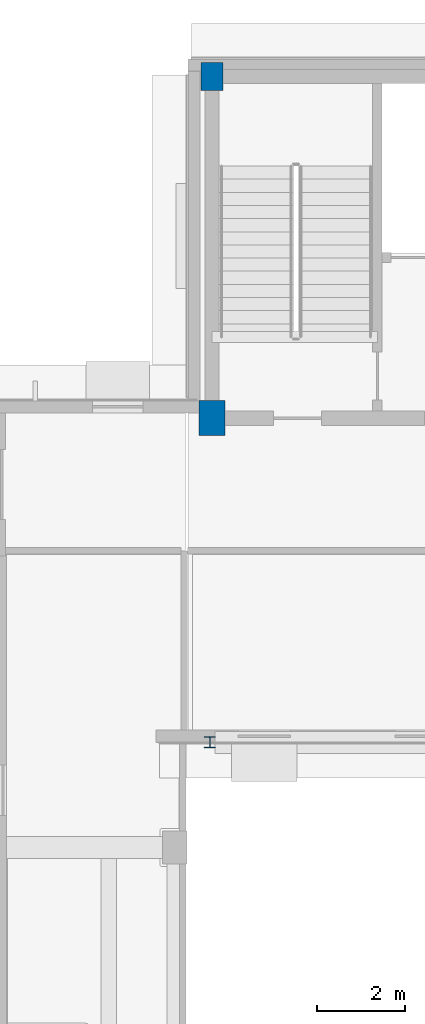
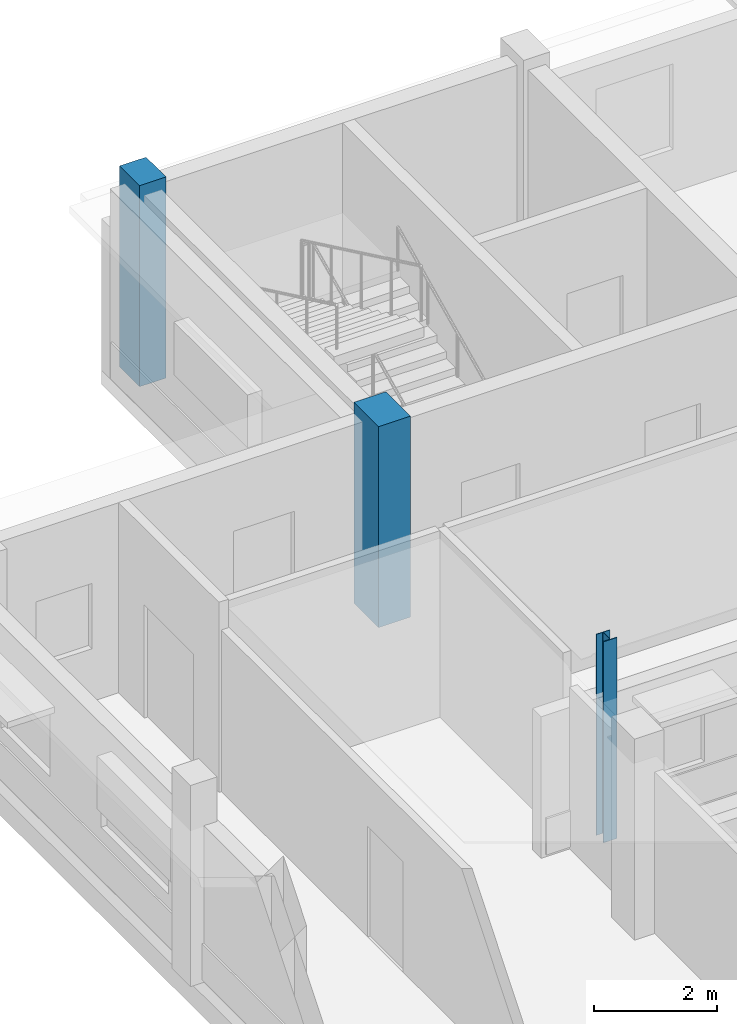
# One storey, part 12 of 105: 3 columns.
"""IFC4 building model written with IfcOpenShell, lengths in metres."""

from ifc_helpers import new_model, si_unit, direction, frame, origin, origin_2d, place, context, subcontext, project, spatial, rectangle, i_section, extrude, material, material_profile, profile_set, type_object, element, save


model = new_model("IFC4")

# Units and contexts
model_context = context("Model", 3, precision=1e-05, world=origin(), true_north=direction((0.0, 1.0)))
body_context = subcontext(model_context, "Body", "Model", "MODEL_VIEW")
ifc_project = project(units=[si_unit("LENGTHUNIT", "METRE"), si_unit("AREAUNIT", "SQUARE_METRE"), si_unit("VOLUMEUNIT", "CUBIC_METRE"), si_unit("PLANEANGLEUNIT", "RADIAN"), si_unit("MASSUNIT", "GRAM", prefix="KILO")], contexts=[model_context])

# Site, building, storey
site_placement = place(None, origin())
site = spatial("IfcSite", under=ifc_project, at=site_placement, CompositionType="ELEMENT")
building_placement = place(site_placement, origin())
building = spatial("IfcBuilding", under=site, at=building_placement, Name="Kelanivale Promenade Academy", CompositionType="ELEMENT")
storey_placement = place(building_placement, frame((0.0, 0.0, 4.199951171875)))
storey = spatial("IfcBuildingStorey", under=building, at=storey_placement, Name="L01", CompositionType="ELEMENT", Elevation=4.199951171875)

# Columns
ifc_material_1 = material(Name="Concrete C40/50", Category="concrete")
ifc_material_profile_1 = material_profile(ifc_material_1, rectangle(XDim=0.5, YDim=0.64990234375, at=origin_2d()), Name="RC-COL 500x650")
ifc_profile_set_1 = profile_set([ifc_material_profile_1], Name="Concrete C40/50")
column_type_1 = type_object("IfcColumnType", Name="C-11 RC-COL 500x650", PredefinedType="COLUMN", material=ifc_profile_set_1)
column_1_placement = place(storey_placement, frame((123.39990234375, 111.60009765625, 0.0), z_axis=(0.0, 0.0, 1.0), x_axis=(1.0, 0.0, 0.0)))
element("IfcColumn", 1, at=column_1_placement, inside=storey, type_object=column_type_1, Name="Column C-11 at (123.4, 111.6) L01", PredefinedType="COLUMN", context=body_context, shape_type="SweptSolid", body=[
    extrude(rectangle(XDim=0.5, YDim=0.64990234375, at=origin_2d()), origin(), (0.0, 0.0, 1.0), 4.0),
])
ifc_material_profile_2 = material_profile(ifc_material_1, rectangle(XDim=0.60009765625, YDim=0.800048828125, at=origin_2d()), Name="RC-COL 600x800")
ifc_profile_set_2 = profile_set([ifc_material_profile_2], Name="Concrete C40/50")
column_type_2 = type_object("IfcColumnType", Name="C-14 RC-COL 600x800", PredefinedType="COLUMN", material=ifc_profile_set_2)
column_2_placement = place(storey_placement, frame((123.39990234375, 103.800048828125, 0.0), z_axis=(0.0, 0.0, 1.0), x_axis=(1.0, 0.0, 0.0)))
element("IfcColumn", 2, at=column_2_placement, inside=storey, type_object=column_type_2, Name="Column C-14 at (123.4, 103.8) L01", PredefinedType="COLUMN", context=body_context, shape_type="SweptSolid", body=[
    extrude(rectangle(XDim=0.60009765625, YDim=0.800048828125, at=origin_2d()), origin(), (0.0, 0.0, 1.0), 4.0),
])
ifc_material_2 = material(Name="Steel S355", Category="steel")
ifc_material_profile_3 = material_profile(ifc_material_2, i_section(OverallWidth=0.254638671875, OverallDepth=0.254150390625, WebThickness=0.008544921875, FlangeThickness=0.01416015625, FilletRadius=0.0126953125, at=origin_2d()), Name="UC 254x254x73")
ifc_profile_set_3 = profile_set([ifc_material_profile_3], Name="Steel S355")
column_type_3 = type_object("IfcColumnType", Name="SC-02 UC 254x254x73", PredefinedType="COLUMN", material=ifc_profile_set_3)
column_3_placement = place(storey_placement, frame((123.35009765625, 96.39990234375, 0.0), z_axis=(0.0, 0.0, 1.0), x_axis=(1.0, 0.0, 0.0)))
element("IfcColumn", 3, at=column_3_placement, inside=storey, type_object=column_type_3, Name="Column SC-02 at (123.3, 96.4) L01", PredefinedType="COLUMN", context=body_context, shape_type="SweptSolid", body=[
    extrude(i_section(OverallWidth=0.254638671875, OverallDepth=0.254150390625, WebThickness=0.008544921875, FlangeThickness=0.01416015625, FilletRadius=0.0126953125, at=origin_2d()), origin(), (0.0, 0.0, 1.0), 4.0),
])

save(model, "model.ifc")
